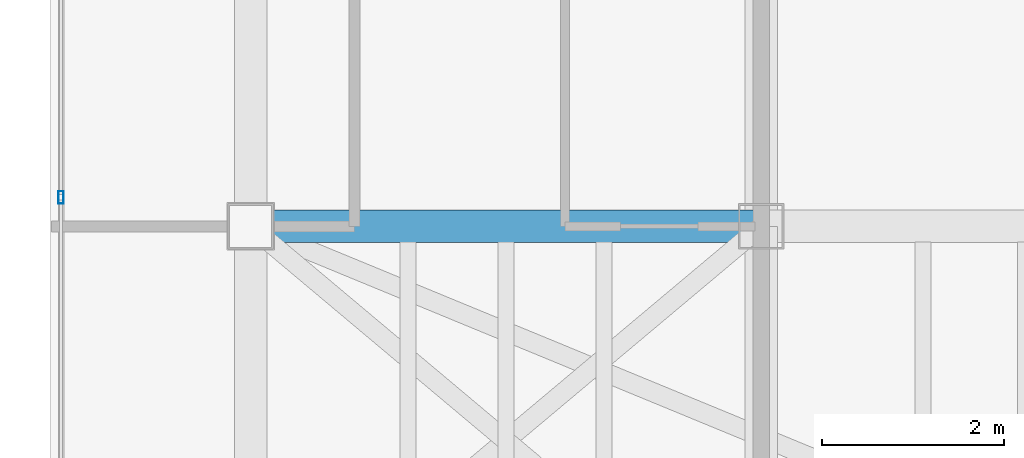
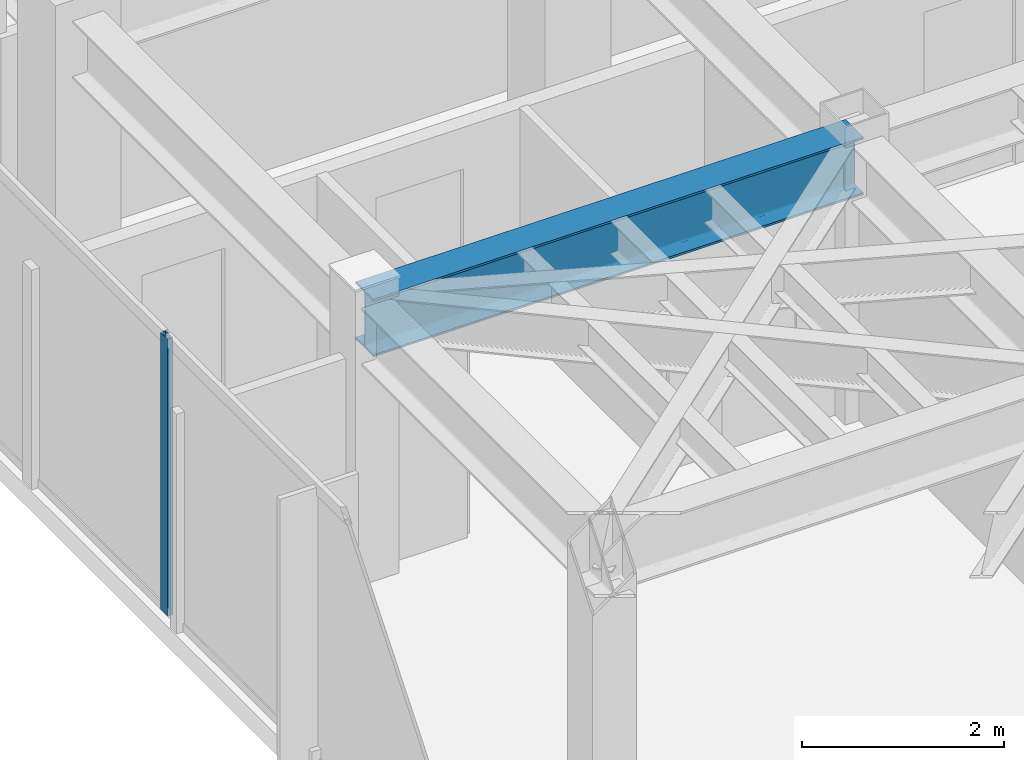
# One storey, part 6 of 19: 1 beam, 1 member, 1 element without a shape of its own.
"""IFC4 building model written with IfcOpenShell, lengths in metres."""

from ifc_helpers import new_model, si_unit, direction, frame, origin, origin_2d, place, context, subcontext, project, spatial, hollow_rectangle, i_section, extrude, material, layer, layer_set, material_profile, profile_set, type_object, element, aggregate, save


model = new_model("IFC4")

# Units and contexts
model_context = context("Model", 3, precision=1e-05, world=origin(), true_north=direction((0.0, 1.0)))
body_context = subcontext(model_context, "Body", "Model", "MODEL_VIEW")
ifc_project = project(units=[si_unit("LENGTHUNIT", "METRE"), si_unit("AREAUNIT", "SQUARE_METRE"), si_unit("VOLUMEUNIT", "CUBIC_METRE"), si_unit("PLANEANGLEUNIT", "RADIAN"), si_unit("MASSUNIT", "GRAM", prefix="KILO")], contexts=[model_context])

# Site, building, storey
site_placement = place(None, origin())
site = spatial("IfcSite", under=ifc_project, at=site_placement, CompositionType="ELEMENT")
building_placement = place(site_placement, origin())
building = spatial("IfcBuilding", under=site, at=building_placement, Name="Kravanh Interchange Tower", CompositionType="ELEMENT")
storey_placement = place(building_placement, frame((0.0, 0.0, 259.800048828125)))
storey = spatial("IfcBuildingStorey", under=building, at=storey_placement, Name="L63", CompositionType="ELEMENT", Elevation=259.800048828125)

# Curtain wall, member
ifc_material_1 = material(Name="Anodised Bronze Aluminium", Category="aluminium")
ifc_layer = layer(ifc_material_1, 0.179931640625)
ifc_layer_set = layer_set([ifc_layer], Name="Unitised Curtain Wall System CW-HTL Luxury Hotel")
curtain_wall_type = type_object("IfcCurtainWallType", Name="Unitised Curtain Wall System CW-HTL Luxury Hotel", PredefinedType="NOTDEFINED", material=ifc_layer_set)
curtain_wall_placement = place(storey_placement, origin())
curtain_wall = element("IfcCurtainWall", 1, at=curtain_wall_placement, inside=storey, type_object=curtain_wall_type, Name="L63 Unitised Curtain Wall CW-L63-01", PredefinedType="NOTDEFINED")
ifc_material_2 = material(Name="Anodised Bronze Aluminium", Category="aluminium")
ifc_material_profile_1 = material_profile(ifc_material_2, hollow_rectangle(XDim=0.06005859375, YDim=0.139892578125, WallThickness=0.00390625, at=origin_2d()), Name="ALU60X140X4")
ifc_profile_set_1 = profile_set([ifc_material_profile_1], Name="Anodised Bronze Aluminium")
member_type = type_object("IfcMemberType", Name="Curtain Wall Mullion ALU60X140X4 Bronze", PredefinedType="MULLION", material=ifc_profile_set_1)
member_placement = place(storey_placement, frame((25.1201171875, 31.816650390625, 0.0), z_axis=(0.0, 0.0, 1.0), x_axis=(-1.0, 0.0, 0.0)))
member = element("IfcMember", 2, at=member_placement, type_object=member_type, Name="CW-HTL mullion 3", PredefinedType="MULLION", context=body_context, shape_type="SweptSolid", body=[
    extrude(hollow_rectangle(XDim=0.06005859375, YDim=0.139892578125, WallThickness=0.00390625, at=origin_2d()), origin(), (0.0, 0.0, 1.0), 3.349853515625),
])
aggregate(curtain_wall, [member])

# Beam
ifc_material_3 = material(Name="Structural Steel S355", Category="steel")
ifc_material_profile_2 = material_profile(ifc_material_3, i_section(OverallWidth=0.35498046875, OverallDepth=0.696044921875, WebThickness=0.015380859375, FlangeThickness=0.02490234375, FilletRadius=0.02392578125, at=origin_2d()), Name="W27X146")
ifc_profile_set_2 = profile_set([ifc_material_profile_2], Name="Structural Steel S355")
beam_type = type_object("IfcBeamType", Name="Floor Beam W27X146 Structural Steel S355", PredefinedType="BEAM", material=ifc_profile_set_2)
beam_placement = place(storey_placement, frame((32.800048828125, 31.5, 3.001953125), z_axis=(-1.0, 0.0, 0.0), x_axis=(0.0, -1.0, 0.0)))
element("IfcBeam", 3, at=beam_placement, inside=storey, type_object=beam_type, Name="L63 Primary Floor Girder 22", PredefinedType="BEAM", context=body_context, shape_type="SweptSolid", body=[
    extrude(i_section(OverallWidth=0.35498046875, OverallDepth=0.696044921875, WebThickness=0.015380859375, FlangeThickness=0.02490234375, FilletRadius=0.02392578125, at=origin_2d()), origin(), (0.0, 0.0, 1.0), 5.60009765625),
])

save(model, "model.ifc")
